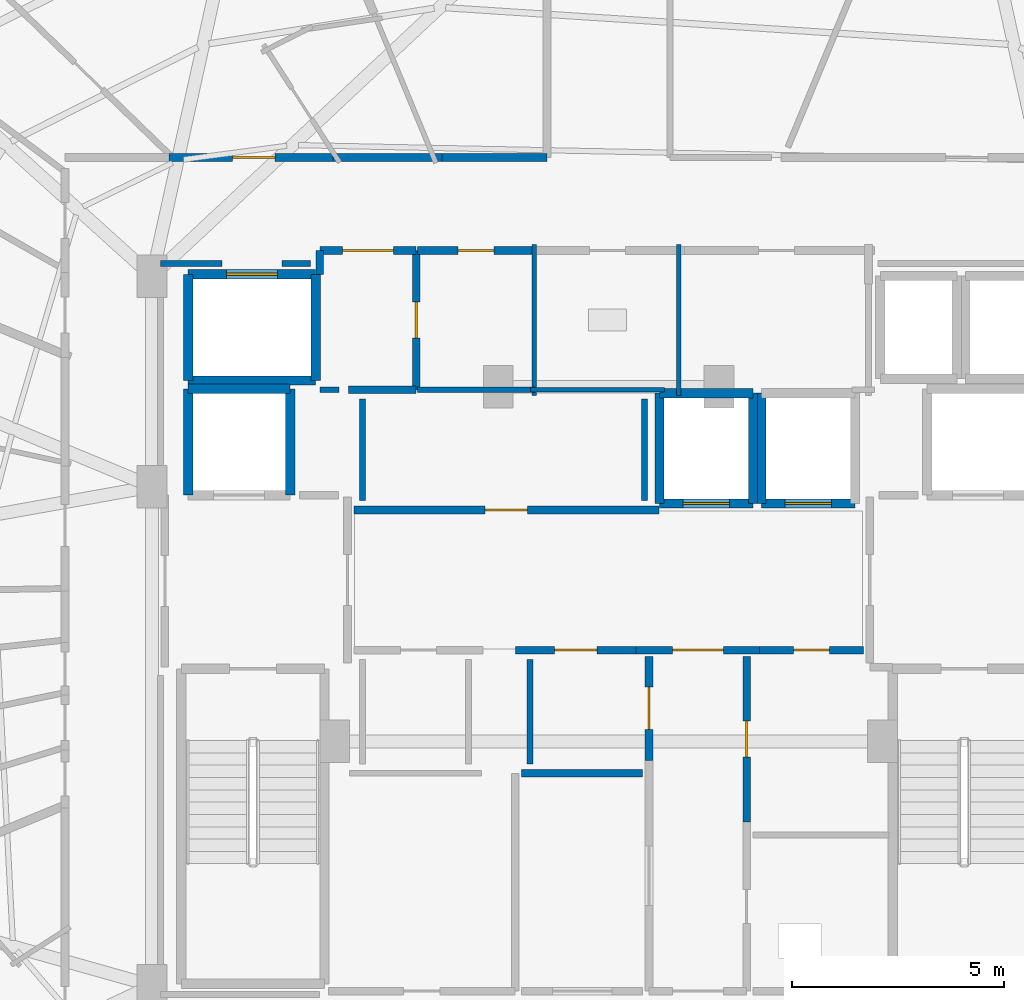
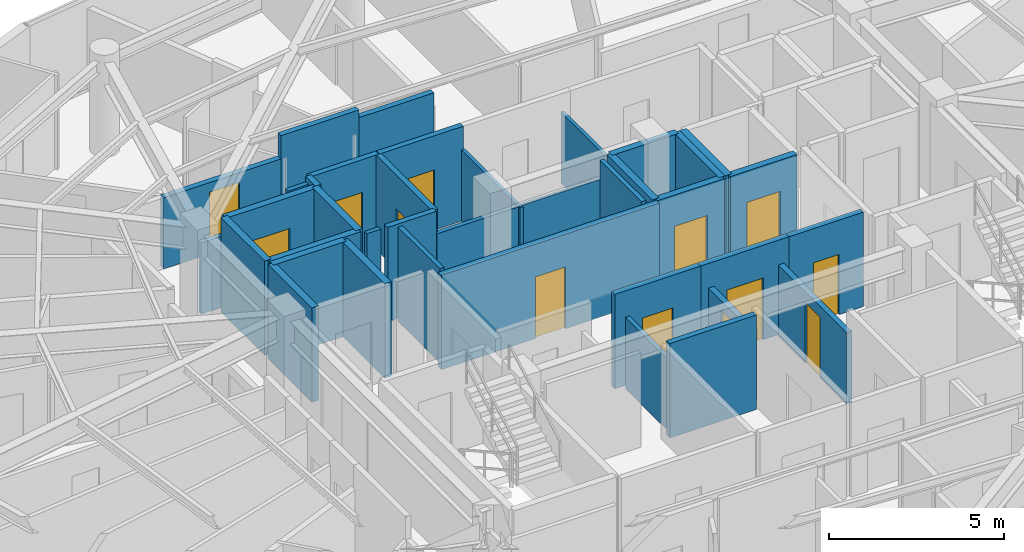
# One storey, part 24 of 30: 38 walls, 13 doors, 13 openings.
"""IFC4 building model written with IfcOpenShell, lengths in metres."""

from ifc_helpers import new_model, si_unit, direction, frame, frame_2d, origin, place, context, subcontext, project, spatial, rectangle, extrude, material, layer, layer_set, type_object, element, fill, save


model = new_model("IFC4")

# Units and contexts
model_context = context("Model", 3, precision=1e-05, world=origin(), true_north=direction((0.0, 1.0)))
body_context = subcontext(model_context, "Body", "Model", "MODEL_VIEW")
ifc_project = project(units=[si_unit("LENGTHUNIT", "METRE"), si_unit("AREAUNIT", "SQUARE_METRE"), si_unit("VOLUMEUNIT", "CUBIC_METRE"), si_unit("PLANEANGLEUNIT", "RADIAN"), si_unit("MASSUNIT", "GRAM", prefix="KILO")], contexts=[model_context])

# Site, building, storey
site_placement = place(None, origin())
site = spatial("IfcSite", under=ifc_project, at=site_placement, CompositionType="ELEMENT")
building_placement = place(site_placement, origin())
building = spatial("IfcBuilding", under=site, at=building_placement, Name="Vorneva Point Tower", CompositionType="ELEMENT")
storey_placement = place(building_placement, frame((0.0, 0.0, 252.0)))
storey = spatial("IfcBuildingStorey", under=building, at=storey_placement, Name="L68", CompositionType="ELEMENT", Elevation=252.0)

# Walls
ifc_material_1 = material(Name="Concrete B60 (C50/60)", Category="concrete")
ifc_layer_1 = layer(ifc_material_1, 0.35009765625)
ifc_layer_set_1 = layer_set([ifc_layer_1], Name="Concrete B60 (C50/60)")
wall_type_1 = type_object("IfcWallType", Name="WL-CORE-350", PredefinedType="SHEAR", material=ifc_layer_set_1)
wall_1_placement = place(storey_placement, frame((30.5, 28.0, 0.0), z_axis=(0.0, 0.0, 1.0), x_axis=(0.0, 1.0, 0.0)))
element("IfcWall", 1, at=wall_1_placement, inside=storey, type_object=wall_type_1, Name="L68 Lift FFL1 Shaft Wall +X", PredefinedType="SHEAR", context=body_context, shape_type="SweptSolid", body=[
    extrude(rectangle(XDim=2.5, YDim=0.219970703125, at=frame_2d((1.25, 0.0))), origin(), (0.0, 0.0, 1.0), 3.2900390625),
])
wall_2_placement = place(storey_placement, frame((30.5, 30.5, 0.0), z_axis=(0.0, 0.0, 1.0), x_axis=(-1.0, 0.0, 0.0)))
element("IfcWall", 2, at=wall_2_placement, inside=storey, type_object=wall_type_1, Name="L68 Lift FFL1 Shaft Wall +Y", PredefinedType="SHEAR", context=body_context, shape_type="SweptSolid", body=[
    extrude(rectangle(XDim=2.39990234375, YDim=0.219970703125, at=frame_2d((1.199951171875, 0.0))), origin(), (0.0, 0.0, 1.0), 3.2900390625),
])
wall_3_placement = place(storey_placement, frame((28.10009765625, 30.5, 0.0), z_axis=(0.0, 0.0, 1.0), x_axis=(0.0, -1.0, 0.0)))
element("IfcWall", 3, at=wall_3_placement, inside=storey, type_object=wall_type_1, Name="L68 Lift FFL1 Shaft Wall -X", PredefinedType="SHEAR", context=body_context, shape_type="SweptSolid", body=[
    extrude(rectangle(XDim=2.5, YDim=0.219970703125, at=frame_2d((1.25, 0.0))), origin(), (0.0, 0.0, 1.0), 3.2900390625),
])
ifc_material_2 = material(Name="Fire-rated acoustic gypsum stud partition", Category="gypsum")
ifc_layer_2 = layer(ifc_material_2, 0.110107421875)
ifc_layer_set_2 = layer_set([ifc_layer_2], Name="Fire-rated acoustic gypsum stud partition")
wall_type_2 = type_object("IfcWallType", Name="WL-PART-110", PredefinedType="PARTITIONING", material=ifc_layer_set_2)
for number, where, z_axis, x_axis, name in (
    (4, (36.25, 30.340087890625, 0.0), (0.0, 0.0, 1.0), (0.0, 1.0, 0.0), "L68 Interior Partition 022"),
    (5, (39.64990234375, 30.340087890625, 0.0), (0.0, 0.0, 1.0), (0.0, 1.0, 0.0), "L68 Interior Partition 025"),
):
    element("IfcWall", number, at=place(storey_placement, frame(where, z_axis=z_axis, x_axis=x_axis)), inside=storey, type_object=wall_type_2, Name=name, PredefinedType="PARTITIONING", context=body_context, shape_type="SweptSolid", body=[
        extrude(rectangle(XDim=3.559814453125, YDim=0.110107421875, at=frame_2d((1.77978515625, 0.0))), origin(), (0.0, 0.0, 1.0), 2.48193359375),
    ])
wall_4_placement = place(storey_placement, frame((36.159912109375, 30.47998046875, 0.0), z_axis=(0.0, 0.0, 1.0), x_axis=(1.0, 0.0, 0.0)))
element("IfcWall", 6, at=wall_4_placement, inside=storey, type_object=wall_type_2, Name="L68 Interior Partition 026", PredefinedType="PARTITIONING", context=body_context, shape_type="SweptSolid", body=[
    extrude(rectangle(XDim=3.16015625, YDim=0.110107421875, at=frame_2d((1.580078125, 0.0))), origin(), (0.0, 0.0, 1.0), 2.48193359375),
])
ifc_layer_3 = layer(ifc_material_2, 0.139892578125)
ifc_layer_set_3 = layer_set([ifc_layer_3], Name="Fire-rated acoustic gypsum stud partition")
wall_type_3 = type_object("IfcWallType", Name="WL-PART-140", PredefinedType="PARTITIONING", material=ifc_layer_set_3)
wall_5_placement = place(storey_placement, frame((33.5, 30.47998046875, 0.0), z_axis=(0.0, 0.0, 1.0), x_axis=(1.0, 0.0, 0.0)))
element("IfcWall", 7, at=wall_5_placement, inside=storey, type_object=wall_type_3, Name="L68 Interior Partition 023", PredefinedType="PARTITIONING", context=body_context, shape_type="SweptSolid", body=[
    extrude(rectangle(XDim=2.75, YDim=0.139892578125, at=frame_2d((1.375, 0.0))), origin(), (0.0, 0.0, 1.0), 2.48193359375),
])
wall_6_placement = place(storey_placement, frame((31.199951171875, 30.47998046875, 0.0), z_axis=(0.0, 0.0, 1.0), x_axis=(1.0, 0.0, 0.0)))
element("IfcWall", 8, at=wall_6_placement, inside=storey, type_object=wall_type_3, Name="L68 Interior Closure Partition 127", PredefinedType="PARTITIONING", context=body_context, shape_type="SweptSolid", body=[
    extrude(rectangle(XDim=0.449951171875, YDim=0.139892578125, at=frame_2d((0.22509765625, 0.0))), origin(), (0.0, 0.0, 1.0), 3.2900390625),
])
for number, where, z_axis, x_axis, name in (
    (9, (32.199951171875, 30.260009765625, 0.0), (0.0, 0.0, 1.0), (0.0, -1.0, 0.0), "L68 Interior Closure Partition 130"),
    (10, (38.85009765625, 27.8701171875, 0.0), (0.0, 0.0, 1.0), (0.0, 1.0, 0.0), "L68 Interior Closure Partition 131"),
):
    element("IfcWall", number, at=place(storey_placement, frame(where, z_axis=z_axis, x_axis=x_axis)), inside=storey, type_object=wall_type_3, Name=name, PredefinedType="PARTITIONING", context=body_context, shape_type="SweptSolid", body=[
        extrude(rectangle(XDim=2.389892578125, YDim=0.139892578125, at=frame_2d((1.19482421875, 0.0))), origin(), (0.0, 0.0, 1.0), 3.2900390625),
    ])
wall_7_placement = place(storey_placement, frame((36.14990234375, 24.1298828125, 0.0), z_axis=(0.0, 0.0, 1.0), x_axis=(0.0, -1.0, 0.0)))
element("IfcWall", 11, at=wall_7_placement, inside=storey, type_object=wall_type_3, Name="L68 Interior Closure Partition 134", PredefinedType="PARTITIONING", context=body_context, shape_type="SweptSolid", body=[
    extrude(rectangle(XDim=2.4599609375, YDim=0.139892578125, at=frame_2d((1.22998046875, 0.0))), origin(), (0.0, 0.0, 1.0), 2.48193359375),
])
wall_8_placement = place(storey_placement, frame((30.97998046875, 33.449951171875, 0.0), z_axis=(0.0, 0.0, 1.0), x_axis=(-1.0, 0.0, 0.0)))
element("IfcWall", 12, at=wall_8_placement, inside=storey, type_object=wall_type_3, Name="L68 Interior Closure Partition 144", PredefinedType="PARTITIONING", context=body_context, shape_type="SweptSolid", body=[
    extrude(rectangle(XDim=0.674072265625, YDim=0.139892578125, at=frame_2d((0.3369140625, 0.0))), origin(), (0.0, 0.0, 1.0), 3.2900390625),
])
wall_9_placement = place(storey_placement, frame((28.89404296875, 33.449951171875, 0.0), z_axis=(0.0, 0.0, 1.0), x_axis=(-1.0, 0.0, 0.0)))
element("IfcWall", 13, at=wall_9_placement, inside=storey, type_object=wall_type_3, Name="L68 Interior Closure Partition 145", PredefinedType="PARTITIONING", context=body_context, shape_type="SweptSolid", body=[
    extrude(rectangle(XDim=1.444091796875, YDim=0.139892578125, at=frame_2d((0.72216796875, 0.0))), origin(), (0.0, 0.0, 1.0), 2.48193359375),
])

# Wall, opening, door
ifc_material_3 = material(Name="Autoclaved aerated concrete blockwork", Category="masonry")
ifc_layer_4 = layer(ifc_material_3, 0.179931640625)
ifc_layer_set_4 = layer_set([ifc_layer_4], Name="Autoclaved aerated concrete blockwork")
wall_type_4 = type_object("IfcWallType", Name="WL-PART-180", PredefinedType="PARTITIONING", material=ifc_layer_set_4)
wall_10_placement = place(storey_placement, frame((33.469970703125, 30.47998046875, 0.0), z_axis=(0.0, 0.0, 1.0), x_axis=(0.0, 1.0, 0.0)))
wall_10 = element("IfcWall", 14, at=wall_10_placement, inside=storey, type_object=wall_type_4, Name="L68 Interior Partition 006", PredefinedType="PARTITIONING", context=body_context, shape_type="SweptSolid", body=[
    extrude(rectangle(XDim=3.280029296875, YDim=0.179931640625, at=frame_2d((1.64013671875, 0.0))), origin(), (0.0, 0.0, 1.0), 3.2900390625),
])
opening_1_placement = place(wall_10_placement, frame((1.215087890625, 0.0, 0.0)))
opening_1 = element("IfcOpeningElement", 15, at=opening_1_placement, cuts=wall_10, Name="Opening ID-02", PredefinedType="OPENING", context=body_context, shape_type="SweptSolid", body=[
    extrude(rectangle(XDim=0.85009765625, YDim=2.10009765625, at=frame_2d((0.425048828125, 1.050048828125))), frame((0.0, 0.10498046875, 0.0), z_axis=(0.0, -1.0, 0.0), x_axis=(1.0, 0.0, 0.0)), (0.0, 0.0, 1.0), 0.209716796875),
])
ifc_material_4 = material(Name="Engineered oak fire-rated door leaf", Category="wood")
door_type_1 = type_object("IfcDoorType", Name="DR-BATH-850", OperationType="NOTDEFINED", PredefinedType="DOOR", material=ifc_material_4)
door_1_placement = place(opening_1_placement, origin())
door_1 = element("IfcDoor", 16, at=door_1_placement, inside=storey, type_object=door_type_1, Name="L68 Door Service Lift Lobby / Core Supply Store", OperationType="SINGLE_SWING_LEFT", OverallHeight=2.10009765625, OverallWidth=0.85009765625, PredefinedType="DOOR", context=body_context, shape_type="SweptSolid", body=[
    extrude(rectangle(XDim=0.85009765625, YDim=2.10009765625, at=frame_2d((0.425048828125, 1.050048828125))), frame((0.0, 0.02490234375, 0.0), z_axis=(0.0, -1.0, 0.0), x_axis=(1.0, 0.0, 0.0)), (0.0, 0.0, 1.0), 0.050048828125),
])
fill(opening_1, door_1)

# Wall
wall_11_placement = place(storey_placement, frame((31.8701171875, 30.47998046875, 0.0), z_axis=(0.0, 0.0, 1.0), x_axis=(1.0, 0.0, 0.0)))
element("IfcWall", 17, at=wall_11_placement, inside=storey, type_object=wall_type_4, Name="L68 Interior Partition 007", PredefinedType="PARTITIONING", context=body_context, shape_type="SweptSolid", body=[
    extrude(rectangle(XDim=1.599853515625, YDim=0.179931640625, at=frame_2d((0.7998046875, 0.0))), origin(), (0.0, 0.0, 1.0), 3.2900390625),
])

# Wall, opening, door
wall_12_placement = place(storey_placement, frame((33.469970703125, 33.760009765625, 0.0), z_axis=(0.0, 0.0, 1.0), x_axis=(-1.0, 0.0, 0.0)))
wall_12 = element("IfcWall", 18, at=wall_12_placement, inside=storey, type_object=wall_type_4, Name="L68 Interior Partition 008", PredefinedType="PARTITIONING", context=body_context, shape_type="SweptSolid", body=[
    extrude(rectangle(XDim=2.27001953125, YDim=0.179931640625, at=frame_2d((1.135009765625, 0.0))), origin(), (0.0, 0.0, 1.0), 3.2900390625),
])
opening_2_placement = place(wall_12_placement, frame((0.534912109375, 0.0, 0.0)))
opening_2 = element("IfcOpeningElement", 19, at=opening_2_placement, cuts=wall_12, Name="Opening FD-02", PredefinedType="OPENING", context=body_context, shape_type="SweptSolid", body=[
    extrude(rectangle(XDim=1.199951171875, YDim=2.14990234375, at=frame_2d((0.60009765625, 1.074951171875))), frame((0.0, 0.10498046875, 0.0), z_axis=(0.0, -1.0, 0.0), x_axis=(1.0, 0.0, 0.0)), (0.0, 0.0, 1.0), 0.209716796875),
])
ifc_material_5 = material(Name="Fire-rated powder-coated steel", Category="steel")
door_type_2 = type_object("IfcDoorType", Name="DR-FFL-1200", OperationType="NOTDEFINED", PredefinedType="DOOR", material=ifc_material_5)
door_2_placement = place(opening_2_placement, origin())
door_2 = element("IfcDoor", 20, at=door_2_placement, inside=storey, type_object=door_type_2, Name="L68 Door Service Lift Lobby / L68 Circulation Corridor", OperationType="SINGLE_SWING_RIGHT", OverallHeight=2.14990234375, OverallWidth=1.199951171875, PredefinedType="DOOR", context=body_context, shape_type="SweptSolid", body=[
    extrude(rectangle(XDim=1.199951171875, YDim=2.14990234375, at=frame_2d((0.60009765625, 1.074951171875))), frame((0.0, 0.02490234375, 0.0), z_axis=(0.0, -1.0, 0.0), x_axis=(1.0, 0.0, 0.0)), (0.0, 0.0, 1.0), 0.050048828125),
])
fill(opening_2, door_2)

# Wall
wall_13_placement = place(storey_placement, frame((31.199951171875, 33.760009765625, 0.0), z_axis=(0.0, 0.0, 1.0), x_axis=(0.0, -1.0, 0.0)))
element("IfcWall", 21, at=wall_13_placement, inside=storey, type_object=wall_type_4, Name="L68 Interior Partition 009", PredefinedType="PARTITIONING", context=body_context, shape_type="SweptSolid", body=[
    extrude(rectangle(XDim=0.56005859375, YDim=0.179931640625, at=frame_2d((0.280029296875, 0.0))), origin(), (0.0, 0.0, 1.0), 3.2900390625),
])

# Wall, opening, door
wall_14_placement = place(storey_placement, frame((38.64501953125, 24.35009765625, 0.0), z_axis=(0.0, 0.0, 1.0), x_axis=(1.0, 0.0, 0.0)))
wall_14 = element("IfcWall", 22, at=wall_14_placement, inside=storey, type_object=wall_type_4, Name="L68 Interior Partition 010", PredefinedType="PARTITIONING", context=body_context, shape_type="SweptSolid", body=[
    extrude(rectangle(XDim=2.909912109375, YDim=0.179931640625, at=frame_2d((1.455078125, 0.0))), origin(), (0.0, 0.0, 1.0), 3.2900390625),
])
opening_3_placement = place(wall_14_placement, frame((0.85498046875, 0.0, 0.0)))
opening_3 = element("IfcOpeningElement", 23, at=opening_3_placement, cuts=wall_14, Name="Opening FD-02", PredefinedType="OPENING", context=body_context, shape_type="SweptSolid", body=[
    extrude(rectangle(XDim=1.199951171875, YDim=2.14990234375, at=frame_2d((0.60009765625, 1.074951171875))), frame((0.0, 0.10498046875, 0.0), z_axis=(0.0, -1.0, 0.0), x_axis=(1.0, 0.0, 0.0)), (0.0, 0.0, 1.0), 0.209716796875),
])
door_3_placement = place(opening_3_placement, origin())
door_3 = element("IfcDoor", 24, at=door_3_placement, inside=storey, type_object=door_type_2, Name="L68 Door Central Lift Lobby / Core Service Lobby", OperationType="SINGLE_SWING_LEFT", OverallHeight=2.14990234375, OverallWidth=1.199951171875, PredefinedType="DOOR", context=body_context, shape_type="SweptSolid", body=[
    extrude(rectangle(XDim=1.199951171875, YDim=2.14990234375, at=frame_2d((0.60009765625, 1.074951171875))), frame((0.0, 0.02490234375, 0.0), z_axis=(0.0, -1.0, 0.0), x_axis=(1.0, 0.0, 0.0)), (0.0, 0.0, 1.0), 0.050048828125),
])
fill(opening_3, door_3)

wall_15_placement = place(storey_placement, frame((41.554931640625, 24.35009765625, 0.0), z_axis=(0.0, 0.0, 1.0), x_axis=(1.0, 0.0, 0.0)))
wall_15 = element("IfcWall", 25, at=wall_15_placement, inside=storey, type_object=wall_type_4, Name="L68 Interior Partition 011", PredefinedType="PARTITIONING", context=body_context, shape_type="SweptSolid", body=[
    extrude(rectangle(XDim=2.445068359375, YDim=0.179931640625, at=frame_2d((1.22265625, 0.0))), origin(), (0.0, 0.0, 1.0), 3.2900390625),
])
opening_4_placement = place(wall_15_placement, frame((0.797607421875, 0.0, 0.0)))
opening_4 = element("IfcOpeningElement", 26, at=opening_4_placement, cuts=wall_15, Name="Opening ID-02", PredefinedType="OPENING", context=body_context, shape_type="SweptSolid", body=[
    extrude(rectangle(XDim=0.85009765625, YDim=2.10009765625, at=frame_2d((0.425048828125, 1.050048828125))), frame((0.0, 0.10498046875, 0.0), z_axis=(0.0, -1.0, 0.0), x_axis=(1.0, 0.0, 0.0)), (0.0, 0.0, 1.0), 0.209716796875),
])
door_4_placement = place(opening_4_placement, origin())
door_4 = element("IfcDoor", 27, at=door_4_placement, inside=storey, type_object=door_type_1, Name="L68 Door Central Lift Lobby / Valet and Parcel Room", OperationType="SINGLE_SWING_RIGHT", OverallHeight=2.10009765625, OverallWidth=0.85009765625, PredefinedType="DOOR", context=body_context, shape_type="SweptSolid", body=[
    extrude(rectangle(XDim=0.85009765625, YDim=2.10009765625, at=frame_2d((0.425048828125, 1.050048828125))), frame((0.0, 0.02490234375, 0.0), z_axis=(0.0, -1.0, 0.0), x_axis=(1.0, 0.0, 0.0)), (0.0, 0.0, 1.0), 0.050048828125),
])
fill(opening_4, door_4)

wall_16_placement = place(storey_placement, frame((39.18994140625, 27.64990234375, 0.0), z_axis=(0.0, 0.0, 1.0), x_axis=(-1.0, 0.0, 0.0)))
wall_16 = element("IfcWall", 28, at=wall_16_placement, inside=storey, type_object=wall_type_4, Name="L68 Interior Partition 012", PredefinedType="PARTITIONING", context=body_context, shape_type="SweptSolid", body=[
    extrude(rectangle(XDim=7.18994140625, YDim=0.179931640625, at=frame_2d((3.594970703125, 0.0))), origin(), (0.0, 0.0, 1.0), 3.2900390625),
])
opening_5_placement = place(wall_16_placement, frame((3.094970703125, 0.0, 0.0)))
opening_5 = element("IfcOpeningElement", 29, at=opening_5_placement, cuts=wall_16, Name="Opening UD-01", PredefinedType="OPENING", context=body_context, shape_type="SweptSolid", body=[
    extrude(rectangle(XDim=1.0, YDim=2.14990234375, at=frame_2d((0.5, 1.074951171875))), frame((0.0, 0.10498046875, 0.0), z_axis=(0.0, -1.0, 0.0), x_axis=(1.0, 0.0, 0.0)), (0.0, 0.0, 1.0), 0.209716796875),
])
door_type_3 = type_object("IfcDoorType", Name="DR-UNIT-1000", OperationType="NOTDEFINED", PredefinedType="DOOR", material=ifc_material_4)
door_5_placement = place(opening_5_placement, origin())
door_5 = element("IfcDoor", 30, at=door_5_placement, inside=storey, type_object=door_type_3, Name="L68 Door Central Lift Lobby / Reclaimed Core Meeting Room", OperationType="SINGLE_SWING_LEFT", OverallHeight=2.14990234375, OverallWidth=1.0, PredefinedType="DOOR", context=body_context, shape_type="SweptSolid", body=[
    extrude(rectangle(XDim=1.0, YDim=2.14990234375, at=frame_2d((0.5, 1.074951171875))), frame((0.0, 0.02490234375, 0.0), z_axis=(0.0, -1.0, 0.0), x_axis=(1.0, 0.0, 0.0)), (0.0, 0.0, 1.0), 0.050048828125),
])
fill(opening_5, door_5)

wall_17_placement = place(storey_placement, frame((35.81005859375, 24.35009765625, 0.0), z_axis=(0.0, 0.0, 1.0), x_axis=(1.0, 0.0, 0.0)))
wall_17 = element("IfcWall", 31, at=wall_17_placement, inside=storey, type_object=wall_type_4, Name="L68 Interior Partition 014", PredefinedType="PARTITIONING", context=body_context, shape_type="SweptSolid", body=[
    extrude(rectangle(XDim=2.8349609375, YDim=0.179931640625, at=frame_2d((1.41748046875, 0.0))), origin(), (0.0, 0.0, 1.0), 3.2900390625),
])
opening_6_placement = place(wall_17_placement, frame((0.91748046875, 0.0, 0.0)))
opening_6 = element("IfcOpeningElement", 32, at=opening_6_placement, cuts=wall_17, Name="Opening UD-01", PredefinedType="OPENING", context=body_context, shape_type="SweptSolid", body=[
    extrude(rectangle(XDim=1.0, YDim=2.14990234375, at=frame_2d((0.5, 1.074951171875))), frame((0.0, 0.10498046875, 0.0), z_axis=(0.0, -1.0, 0.0), x_axis=(1.0, 0.0, 0.0)), (0.0, 0.0, 1.0), 0.209716796875),
])
door_6_placement = place(opening_6_placement, origin())
door_6 = element("IfcDoor", 33, at=door_6_placement, inside=storey, type_object=door_type_3, Name="L68 Door Central Lift Lobby / Reclaimed High-Zone Tasting Room", OperationType="SINGLE_SWING_LEFT", OverallHeight=2.14990234375, OverallWidth=1.0, PredefinedType="DOOR", context=body_context, shape_type="SweptSolid", body=[
    extrude(rectangle(XDim=1.0, YDim=2.14990234375, at=frame_2d((0.5, 1.074951171875))), frame((0.0, 0.02490234375, 0.0), z_axis=(0.0, -1.0, 0.0), x_axis=(1.0, 0.0, 0.0)), (0.0, 0.0, 1.0), 0.050048828125),
])
fill(opening_6, door_6)

wall_18_placement = place(storey_placement, frame((41.25, 20.304931640625, 0.0), z_axis=(0.0, 0.0, 1.0), x_axis=(0.0, 1.0, 0.0)))
wall_18 = element("IfcWall", 34, at=wall_18_placement, inside=storey, type_object=wall_type_4, Name="L68 Interior Partition 016", PredefinedType="PARTITIONING", context=body_context, shape_type="SweptSolid", body=[
    extrude(rectangle(XDim=3.89501953125, YDim=0.179931640625, at=frame_2d((1.947509765625, 0.0))), origin(), (0.0, 0.0, 1.0), 2.48193359375),
])
opening_7_placement = place(wall_18_placement, frame((1.5224609375, 0.0, 0.0)))
opening_7 = element("IfcOpeningElement", 35, at=opening_7_placement, cuts=wall_18, Name="Opening ID-02", PredefinedType="OPENING", context=body_context, shape_type="SweptSolid", body=[
    extrude(rectangle(XDim=0.85009765625, YDim=2.10009765625, at=frame_2d((0.425048828125, 1.050048828125))), frame((0.0, 0.10498046875, 0.0), z_axis=(0.0, -1.0, 0.0), x_axis=(1.0, 0.0, 0.0)), (0.0, 0.0, 1.0), 0.209716796875),
])
door_7_placement = place(opening_7_placement, origin())
door_7 = element("IfcDoor", 36, at=door_7_placement, inside=storey, type_object=door_type_1, Name="L68 Door Core Service Lobby / Valet and Parcel Room", OperationType="SINGLE_SWING_LEFT", OverallHeight=2.10009765625, OverallWidth=0.85009765625, PredefinedType="DOOR", context=body_context, shape_type="SweptSolid", body=[
    extrude(rectangle(XDim=0.85009765625, YDim=2.10009765625, at=frame_2d((0.425048828125, 1.050048828125))), frame((0.0, 0.02490234375, 0.0), z_axis=(0.0, -1.0, 0.0), x_axis=(1.0, 0.0, 0.0)), (0.0, 0.0, 1.0), 0.050048828125),
])
fill(opening_7, door_7)

wall_19_placement = place(storey_placement, frame((38.949951171875, 24.199951171875, 0.0), z_axis=(0.0, 0.0, 1.0), x_axis=(0.0, -1.0, 0.0)))
wall_19 = element("IfcWall", 37, at=wall_19_placement, inside=storey, type_object=wall_type_4, Name="L68 Interior Partition 018", PredefinedType="PARTITIONING", context=body_context, shape_type="SweptSolid", body=[
    extrude(rectangle(XDim=2.445068359375, YDim=0.179931640625, at=frame_2d((1.22265625, 0.0))), origin(), (0.0, 0.0, 1.0), 2.48193359375),
])
opening_8_placement = place(wall_19_placement, frame((0.722412109375, 0.0, 0.0)))
opening_8 = element("IfcOpeningElement", 38, at=opening_8_placement, cuts=wall_19, Name="Opening UD-01", PredefinedType="OPENING", context=body_context, shape_type="SweptSolid", body=[
    extrude(rectangle(XDim=1.0, YDim=2.14990234375, at=frame_2d((0.5, 1.074951171875))), frame((0.0, 0.10498046875, 0.0), z_axis=(0.0, -1.0, 0.0), x_axis=(1.0, 0.0, 0.0)), (0.0, 0.0, 1.0), 0.209716796875),
])
door_8_placement = place(opening_8_placement, origin())
door_8 = element("IfcDoor", 39, at=door_8_placement, inside=storey, type_object=door_type_3, Name="L68 Door Core Service Lobby / Reclaimed High-Zone Tasting Room", OperationType="SINGLE_SWING_LEFT", OverallHeight=2.14990234375, OverallWidth=1.0, PredefinedType="DOOR", context=body_context, shape_type="SweptSolid", body=[
    extrude(rectangle(XDim=1.0, YDim=2.14990234375, at=frame_2d((0.5, 1.074951171875))), frame((0.0, 0.02490234375, 0.0), z_axis=(0.0, -1.0, 0.0), x_axis=(1.0, 0.0, 0.0)), (0.0, 0.0, 1.0), 0.050048828125),
])
fill(opening_8, door_8)

wall_20_placement = place(storey_placement, frame((36.25, 33.760009765625, 0.0), z_axis=(0.0, 0.0, 1.0), x_axis=(-1.0, 0.0, 0.0)))
wall_20 = element("IfcWall", 40, at=wall_20_placement, inside=storey, type_object=wall_type_4, Name="L68 Interior Partition 024", PredefinedType="PARTITIONING", context=body_context, shape_type="SweptSolid", body=[
    extrude(rectangle(XDim=2.75, YDim=0.179931640625, at=frame_2d((1.375, 0.0))), origin(), (0.0, 0.0, 1.0), 3.2900390625),
])
opening_9_placement = place(wall_20_placement, frame((0.949951171875, 0.0, 0.0)))
opening_9 = element("IfcOpeningElement", 41, at=opening_9_placement, cuts=wall_20, Name="Opening ID-02", PredefinedType="OPENING", context=body_context, shape_type="SweptSolid", body=[
    extrude(rectangle(XDim=0.85009765625, YDim=2.10009765625, at=frame_2d((0.425048828125, 1.050048828125))), frame((0.0, 0.10498046875, 0.0), z_axis=(0.0, -1.0, 0.0), x_axis=(1.0, 0.0, 0.0)), (0.0, 0.0, 1.0), 0.209716796875),
])
door_9_placement = place(opening_9_placement, origin())
door_9 = element("IfcDoor", 42, at=door_9_placement, inside=storey, type_object=door_type_1, Name="L68 Door Core Supply Store / L68 Circulation Corridor", OperationType="SINGLE_SWING_RIGHT", OverallHeight=2.10009765625, OverallWidth=0.85009765625, PredefinedType="DOOR", context=body_context, shape_type="SweptSolid", body=[
    extrude(rectangle(XDim=0.85009765625, YDim=2.10009765625, at=frame_2d((0.425048828125, 1.050048828125))), frame((0.0, 0.02490234375, 0.0), z_axis=(0.0, -1.0, 0.0), x_axis=(1.0, 0.0, 0.0)), (0.0, 0.0, 1.0), 0.050048828125),
])
fill(opening_9, door_9)

# Wall
wall_21_placement = place(storey_placement, frame((38.800048828125, 21.449951171875, 0.0), z_axis=(0.0, 0.0, 1.0), x_axis=(-1.0, 0.0, 0.0)))
element("IfcWall", 43, at=wall_21_placement, inside=storey, type_object=wall_type_4, Name="L68 Interior Partition 033", PredefinedType="PARTITIONING", context=body_context, shape_type="SweptSolid", body=[
    extrude(rectangle(XDim=2.85009765625, YDim=0.179931640625, at=frame_2d((1.425048828125, 0.0))), origin(), (0.0, 0.0, 1.0), 3.2900390625),
])

# Wall, opening, door
wall_22_placement = place(storey_placement, frame((31.64892578125, 35.949951171875, 0.0), z_axis=(0.0, 0.0, 1.0), x_axis=(-1.0, 0.0, 0.0)))
wall_22 = element("IfcWall", 44, at=wall_22_placement, inside=storey, type_object=wall_type_4, Name="L68 Interior Partition 035", PredefinedType="PARTITIONING", context=body_context, shape_type="SweptSolid", body=[
    extrude(rectangle(XDim=4.0029296875, YDim=0.179931640625, at=frame_2d((2.00146484375, 0.0))), origin(), (0.0, 0.0, 1.0), 2.48193359375),
])
opening_10_placement = place(wall_22_placement, frame((1.50146484375, 0.0, 0.0)))
opening_10 = element("IfcOpeningElement", 45, at=opening_10_placement, cuts=wall_22, Name="Opening UD-01", PredefinedType="OPENING", context=body_context, shape_type="SweptSolid", body=[
    extrude(rectangle(XDim=1.0, YDim=2.14990234375, at=frame_2d((0.5, 1.074951171875))), frame((0.0, 0.10498046875, 0.0), z_axis=(0.0, -1.0, 0.0), x_axis=(1.0, 0.0, 0.0)), (0.0, 0.0, 1.0), 0.209716796875),
])
door_10_placement = place(opening_10_placement, origin())
door_10 = element("IfcDoor", 46, at=door_10_placement, inside=storey, type_object=door_type_3, Name="L68 Door L68 Circulation Corridor / Living and Dining Room L68-01", OperationType="SINGLE_SWING_LEFT", OverallHeight=2.14990234375, OverallWidth=1.0, PredefinedType="DOOR", context=body_context, shape_type="SweptSolid", body=[
    extrude(rectangle(XDim=1.0, YDim=2.14990234375, at=frame_2d((0.5, 1.074951171875))), frame((0.0, 0.02490234375, 0.0), z_axis=(0.0, -1.0, 0.0), x_axis=(1.0, 0.0, 0.0)), (0.0, 0.0, 1.0), 0.050048828125),
])
fill(opening_10, door_10)

# Walls
wall_23_placement = place(storey_placement, frame((34.0791015625, 35.949951171875, 0.0), z_axis=(0.0, 0.0, 1.0), x_axis=(-1.0, 0.0, 0.0)))
element("IfcWall", 47, at=wall_23_placement, inside=storey, type_object=wall_type_4, Name="L68 Interior Partition 036", PredefinedType="PARTITIONING", context=body_context, shape_type="SweptSolid", body=[
    extrude(rectangle(XDim=2.570068359375, YDim=0.179931640625, at=frame_2d((1.28515625, 0.0))), origin(), (0.0, 0.0, 1.0), 3.2900390625),
])
wall_24_placement = place(storey_placement, frame((36.550048828125, 35.949951171875, 0.0), z_axis=(0.0, 0.0, 1.0), x_axis=(-1.0, 0.0, 0.0)))
element("IfcWall", 48, at=wall_24_placement, inside=storey, type_object=wall_type_4, Name="L68 Interior Partition 067", PredefinedType="PARTITIONING", context=body_context, shape_type="SweptSolid", body=[
    extrude(rectangle(XDim=2.470947265625, YDim=0.179931640625, at=frame_2d((1.2353515625, 0.0))), origin(), (0.0, 0.0, 1.0), 3.02197265625),
])

# Wall, opening, door
ifc_material_6 = material(Name="Concrete B50 (C40/50)", Category="concrete")
ifc_layer_5 = layer(ifc_material_6, 0.219970703125)
ifc_layer_set_5 = layer_set([ifc_layer_5], Name="Concrete B50 (C40/50)")
wall_type_5 = type_object("IfcWallType", Name="WL-SHFT-220", PredefinedType="SOLIDWALL", material=ifc_layer_set_5)
wall_25_placement = place(storey_placement, frame((39.199951171875, 27.800048828125, 0.0), z_axis=(0.0, 0.0, 1.0), x_axis=(1.0, 0.0, 0.0)))
wall_25 = element("IfcWall", 49, at=wall_25_placement, inside=storey, type_object=wall_type_5, Name="L68 Lift PL7 Shaft Wall -Y", PredefinedType="SOLIDWALL", context=body_context, shape_type="SweptSolid", body=[
    extrude(rectangle(XDim=2.199951171875, YDim=0.219970703125, at=frame_2d((1.10009765625, 0.0))), origin(), (0.0, 0.0, 1.0), 3.2900390625),
])
opening_11_placement = place(wall_25_placement, frame((0.550048828125, 0.0, 0.0)))
opening_11 = element("IfcOpeningElement", 50, at=opening_11_placement, cuts=wall_25, Name="Opening LD-01", PredefinedType="OPENING", context=body_context, shape_type="SweptSolid", body=[
    extrude(rectangle(XDim=1.10009765625, YDim=2.199951171875, at=frame_2d((0.550048828125, 1.10009765625))), frame((0.0, 0.125, 0.0), z_axis=(0.0, -1.0, 0.0), x_axis=(1.0, 0.0, 0.0)), (0.0, 0.0, 1.0), 0.249755859375),
])
ifc_material_7 = material(Name="Brushed stainless steel S304", Category="steel")
door_type_4 = type_object("IfcDoorType", Name="LD-PASS-1100", OperationType="SLIDING_TO_LEFT", PredefinedType="DOOR", material=ifc_material_7)
door_11_placement = place(opening_11_placement, origin())
door_11 = element("IfcDoor", 51, at=door_11_placement, inside=storey, type_object=door_type_4, Name="L68 Lift PL7 Sliding Landing Door", OperationType="SLIDING_TO_LEFT", OverallHeight=2.199951171875, OverallWidth=1.10009765625, PredefinedType="DOOR", context=body_context, shape_type="SweptSolid", body=[
    extrude(rectangle(XDim=1.10009765625, YDim=2.199951171875, at=frame_2d((0.550048828125, 1.10009765625))), frame((0.0, 0.02490234375, 0.0), z_axis=(0.0, -1.0, 0.0), x_axis=(1.0, 0.0, 0.0)), (0.0, 0.0, 1.0), 0.050048828125),
])
fill(opening_11, door_11)

# Walls
wall_26_placement = place(storey_placement, frame((41.39990234375, 27.800048828125, 0.0), z_axis=(0.0, 0.0, 1.0), x_axis=(0.0, 1.0, 0.0)))
element("IfcWall", 52, at=wall_26_placement, inside=storey, type_object=wall_type_5, Name="L68 Lift PL7 Shaft Wall +X", PredefinedType="SOLIDWALL", context=body_context, shape_type="SweptSolid", body=[
    extrude(rectangle(XDim=2.599853515625, YDim=0.219970703125, at=frame_2d((1.2998046875, 0.0))), origin(), (0.0, 0.0, 1.0), 3.2900390625),
])
wall_27_placement = place(storey_placement, frame((41.39990234375, 30.39990234375, 0.0), z_axis=(0.0, 0.0, 1.0), x_axis=(-1.0, 0.0, 0.0)))
element("IfcWall", 53, at=wall_27_placement, inside=storey, type_object=wall_type_5, Name="L68 Lift PL7 Shaft Wall +Y", PredefinedType="SOLIDWALL", context=body_context, shape_type="SweptSolid", body=[
    extrude(rectangle(XDim=2.199951171875, YDim=0.219970703125, at=frame_2d((1.10009765625, 0.0))), origin(), (0.0, 0.0, 1.0), 3.2900390625),
])
wall_28_placement = place(storey_placement, frame((39.199951171875, 30.39990234375, 0.0), z_axis=(0.0, 0.0, 1.0), x_axis=(0.0, -1.0, 0.0)))
element("IfcWall", 54, at=wall_28_placement, inside=storey, type_object=wall_type_5, Name="L68 Lift PL7 Shaft Wall -X", PredefinedType="SOLIDWALL", context=body_context, shape_type="SweptSolid", body=[
    extrude(rectangle(XDim=2.599853515625, YDim=0.219970703125, at=frame_2d((1.2998046875, 0.0))), origin(), (0.0, 0.0, 1.0), 3.2900390625),
])

# Wall, opening, door
wall_29_placement = place(storey_placement, frame((41.60009765625, 27.800048828125, 0.0), z_axis=(0.0, 0.0, 1.0), x_axis=(1.0, 0.0, 0.0)))
wall_29 = element("IfcWall", 55, at=wall_29_placement, inside=storey, type_object=wall_type_5, Name="L68 Lift PL8 Shaft Wall -Y", PredefinedType="SOLIDWALL", context=body_context, shape_type="SweptSolid", body=[
    extrude(rectangle(XDim=2.199951171875, YDim=0.219970703125, at=frame_2d((1.10009765625, 0.0))), origin(), (0.0, 0.0, 1.0), 3.2900390625),
])
opening_12_placement = place(wall_29_placement, frame((0.550048828125, 0.0, 0.0)))
opening_12 = element("IfcOpeningElement", 56, at=opening_12_placement, cuts=wall_29, Name="Opening LD-01", PredefinedType="OPENING", context=body_context, shape_type="SweptSolid", body=[
    extrude(rectangle(XDim=1.10009765625, YDim=2.199951171875, at=frame_2d((0.550048828125, 1.10009765625))), frame((0.0, 0.125, 0.0), z_axis=(0.0, -1.0, 0.0), x_axis=(1.0, 0.0, 0.0)), (0.0, 0.0, 1.0), 0.249755859375),
])
door_12_placement = place(opening_12_placement, origin())
door_12 = element("IfcDoor", 57, at=door_12_placement, inside=storey, type_object=door_type_4, Name="L68 Lift PL8 Sliding Landing Door", OperationType="SLIDING_TO_LEFT", OverallHeight=2.199951171875, OverallWidth=1.10009765625, PredefinedType="DOOR", context=body_context, shape_type="SweptSolid", body=[
    extrude(rectangle(XDim=1.10009765625, YDim=2.199951171875, at=frame_2d((0.550048828125, 1.10009765625))), frame((0.0, 0.02490234375, 0.0), z_axis=(0.0, -1.0, 0.0), x_axis=(1.0, 0.0, 0.0)), (0.0, 0.0, 1.0), 0.050048828125),
])
fill(opening_12, door_12)

# Walls
wall_30_placement = place(storey_placement, frame((41.60009765625, 30.39990234375, 0.0), z_axis=(0.0, 0.0, 1.0), x_axis=(0.0, -1.0, 0.0)))
element("IfcWall", 58, at=wall_30_placement, inside=storey, type_object=wall_type_5, Name="L68 Lift PL8 Shaft Wall -X", PredefinedType="SOLIDWALL", context=body_context, shape_type="SweptSolid", body=[
    extrude(rectangle(XDim=2.599853515625, YDim=0.219970703125, at=frame_2d((1.2998046875, 0.0))), origin(), (0.0, 0.0, 1.0), 3.2900390625),
])
wall_31_placement = place(storey_placement, frame((28.10009765625, 30.699951171875, 0.0), z_axis=(0.0, 0.0, 1.0), x_axis=(1.0, 0.0, 0.0)))
element("IfcWall", 59, at=wall_31_placement, inside=storey, type_object=wall_type_5, Name="L68 Lift SVL1 Shaft Wall -Y", PredefinedType="SOLIDWALL", context=body_context, shape_type="SweptSolid", body=[
    extrude(rectangle(XDim=3.0, YDim=0.219970703125, at=frame_2d((1.5, 0.0))), origin(), (0.0, 0.0, 1.0), 3.2900390625),
])
wall_32_placement = place(storey_placement, frame((31.10009765625, 30.699951171875, 0.0), z_axis=(0.0, 0.0, 1.0), x_axis=(0.0, 1.0, 0.0)))
element("IfcWall", 60, at=wall_32_placement, inside=storey, type_object=wall_type_5, Name="L68 Lift SVL1 Shaft Wall +X", PredefinedType="SOLIDWALL", context=body_context, shape_type="SweptSolid", body=[
    extrude(rectangle(XDim=2.5, YDim=0.219970703125, at=frame_2d((1.25, 0.0))), origin(), (0.0, 0.0, 1.0), 3.2900390625),
])

# Wall, opening, door
wall_33_placement = place(storey_placement, frame((31.10009765625, 33.199951171875, 0.0), z_axis=(0.0, 0.0, 1.0), x_axis=(-1.0, 0.0, 0.0)))
wall_33 = element("IfcWall", 61, at=wall_33_placement, inside=storey, type_object=wall_type_5, Name="L68 Lift SVL1 Shaft Wall +Y", PredefinedType="SOLIDWALL", context=body_context, shape_type="SweptSolid", body=[
    extrude(rectangle(XDim=3.0, YDim=0.219970703125, at=frame_2d((1.5, 0.0))), origin(), (0.0, 0.0, 1.0), 3.2900390625),
])
opening_13_placement = place(wall_33_placement, frame((0.89990234375, 0.0, 0.0)))
opening_13 = element("IfcOpeningElement", 62, at=opening_13_placement, cuts=wall_33, Name="Opening LD-02", PredefinedType="OPENING", context=body_context, shape_type="SweptSolid", body=[
    extrude(rectangle(XDim=1.199951171875, YDim=2.199951171875, at=frame_2d((0.60009765625, 1.10009765625))), frame((0.0, 0.125, 0.0), z_axis=(0.0, -1.0, 0.0), x_axis=(1.0, 0.0, 0.0)), (0.0, 0.0, 1.0), 0.249755859375),
])
door_type_5 = type_object("IfcDoorType", Name="LD-FIRE-1200", OperationType="SLIDING_TO_LEFT", PredefinedType="DOOR", material=ifc_material_7)
door_13_placement = place(opening_13_placement, origin())
door_13 = element("IfcDoor", 63, at=door_13_placement, inside=storey, type_object=door_type_5, Name="L68 Lift SVL1 Sliding Landing Door", OperationType="SLIDING_TO_LEFT", OverallHeight=2.199951171875, OverallWidth=1.199951171875, PredefinedType="DOOR", context=body_context, shape_type="SweptSolid", body=[
    extrude(rectangle(XDim=1.199951171875, YDim=2.199951171875, at=frame_2d((0.60009765625, 1.10009765625))), frame((0.0, 0.02490234375, 0.0), z_axis=(0.0, -1.0, 0.0), x_axis=(1.0, 0.0, 0.0)), (0.0, 0.0, 1.0), 0.050048828125),
])
fill(opening_13, door_13)

# Wall
wall_34_placement = place(storey_placement, frame((28.10009765625, 33.199951171875, 0.0), z_axis=(0.0, 0.0, 1.0), x_axis=(0.0, -1.0, 0.0)))
element("IfcWall", 64, at=wall_34_placement, inside=storey, type_object=wall_type_5, Name="L68 Lift SVL1 Shaft Wall -X", PredefinedType="SOLIDWALL", context=body_context, shape_type="SweptSolid", body=[
    extrude(rectangle(XDim=2.5, YDim=0.219970703125, at=frame_2d((1.25, 0.0))), origin(), (0.0, 0.0, 1.0), 3.2900390625),
])

save(model, "model.ifc")
